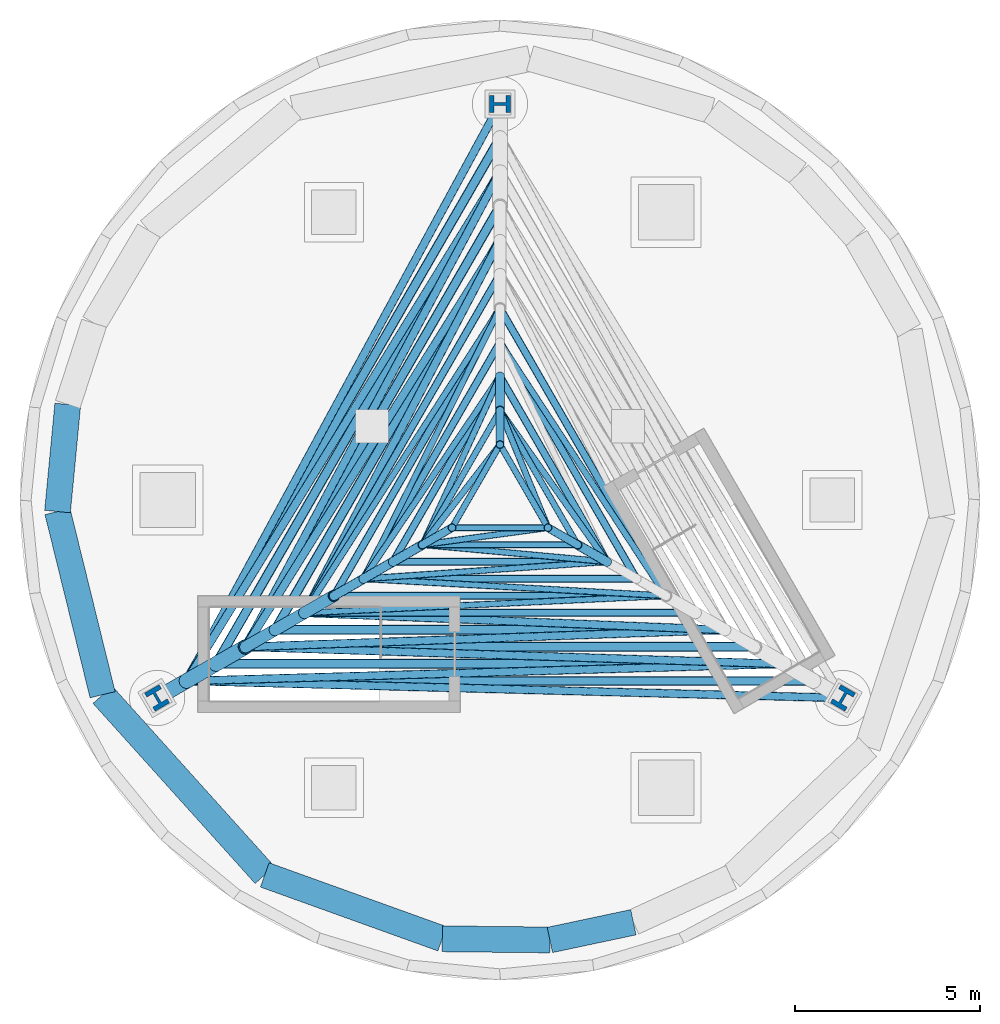
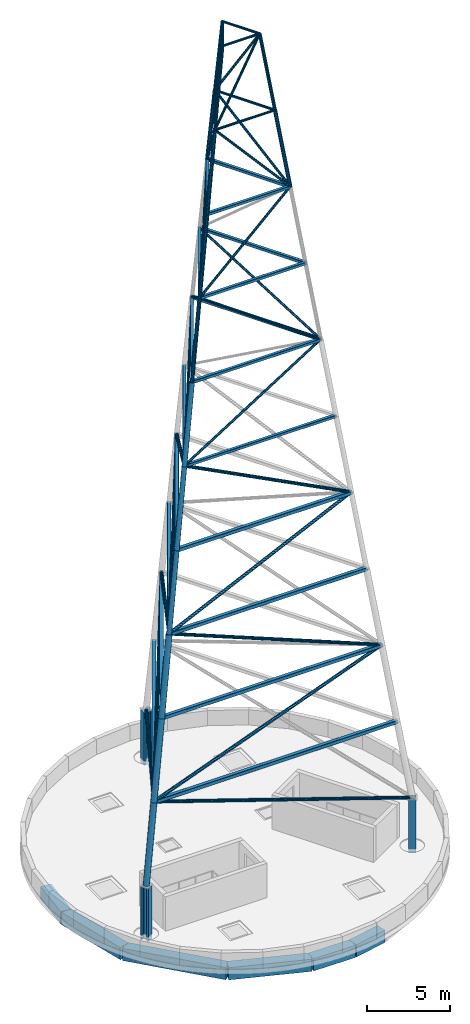
# One storey, part 1 of 4: 62 members, 6 beams, 3 columns.
"""IFC4 building model written with IfcOpenShell, lengths in metres."""

import ifcopenshell
import ifcopenshell.guid

model = None  # the IFC model being written
_history = None  # IfcOwnerHistory: only IFC2X3 demands one
_inside = {}  # id of a spatial element -> (the spatial element, [elements in it])
_under = {}  # id of a project, library or spatial element -> (it, [spatial elements below it])
_declared = {}  # id of a project -> (the project, [libraries it declares])
_typed = {}  # id of a type object -> (the type object, [elements of that type])
_made_of = {}  # id of a material, layer set ... -> (it, [elements and type objects made of it])


def new_model(schema):
    """Start an empty IFC model of exactly this schema.

    Asked for "IFC4X3", IfcOpenShell would pick the latest addendum, in which some entities
    have other attributes; the version numbers below select the first issue.
    IFC2X3 requires an IfcOwnerHistory on every rooted entity: one is made here for all.
    """
    global model, _history
    if schema == "IFC4X3":
        model = ifcopenshell.file(schema_version=(4, 3, 0, 0))
    else:
        model = ifcopenshell.file(schema=schema)
    _inside.clear()
    _under.clear()
    _declared.clear()
    _typed.clear()
    _made_of.clear()
    _history = None
    if model.schema == "IFC2X3":
        org = make("IfcOrganization", Name="unknown")
        user = make(
            "IfcPersonAndOrganization",
            ThePerson=make("IfcPerson", FamilyName="unknown"),
            TheOrganization=org,
        )
        app = make(
            "IfcApplication",
            ApplicationDeveloper=org,
            Version="unknown",
            ApplicationFullName="unknown",
            ApplicationIdentifier="unknown",
        )
        _history = make(
            "IfcOwnerHistory",
            OwningUser=user,
            OwningApplication=app,
            ChangeAction="ADDED",
            CreationDate=0,
        )
    return model


def make(cls, **values):
    """One entity of the class cls with the attributes given. An attribute that is None is left unset."""
    return model.create_entity(
        cls, **{name: value for name, value in values.items() if value is not None}
    )


def rooted(cls, **values):
    """An entity with a GlobalId (a new one), such as an element, a storey or a relation."""
    return make(cls, GlobalId=ifcopenshell.guid.new(), OwnerHistory=_history, **values)


def si_unit(unit_type, name, prefix=None):
    """IfcSIUnit, for example si_unit("LENGTHUNIT", "METRE", prefix="MILLI")."""
    return make("IfcSIUnit", UnitType=unit_type, Prefix=prefix, Name=name)


def assignment(units):
    """IfcUnitAssignment: the units of a project."""
    return None if units is None else make("IfcUnitAssignment", Units=units)


def point(xyz):
    """IfcCartesianPoint."""
    return None if xyz is None else make("IfcCartesianPoint", Coordinates=xyz)


def direction(xyz):
    """IfcDirection."""
    return None if xyz is None else make("IfcDirection", DirectionRatios=xyz)


def frame(location, z_axis=None, x_axis=None):
    """IfcAxis2Placement3D, a coordinate frame: its origin and axes. An axis left out is left unset."""
    return make(
        "IfcAxis2Placement3D",
        Location=point(location),
        Axis=direction(z_axis),
        RefDirection=direction(x_axis),
    )


def frame_2d(location, x_axis=None):
    """IfcAxis2Placement2D, a coordinate frame in the plane: its origin and x axis."""
    return make(
        "IfcAxis2Placement2D", Location=point(location), RefDirection=direction(x_axis)
    )


def origin():
    """The frame at (0, 0, 0) with its axes left unset."""
    return frame((0.0, 0.0, 0.0))


def origin_2d():
    """The frame at (0, 0) in the plane with its x axis left unset."""
    return frame_2d((0.0, 0.0))


def place(relative_to, where):
    """IfcLocalPlacement: puts the frame where relative to a parent placement (None: the world)."""
    return make(
        "IfcLocalPlacement", PlacementRelTo=relative_to, RelativePlacement=where
    )


def context(
    kind, dimensions, precision=None, world=None, true_north=None, identifier=None
):
    """IfcGeometricRepresentationContext, for example the 3D "Model" context."""
    return make(
        "IfcGeometricRepresentationContext",
        ContextIdentifier=identifier,
        ContextType=kind,
        CoordinateSpaceDimension=dimensions,
        Precision=precision,
        WorldCoordinateSystem=world,
        TrueNorth=true_north,
    )


def subcontext(parent, identifier, kind, view, scale=None):
    """IfcGeometricRepresentationSubContext, for example "Body" below "Model"."""
    return make(
        "IfcGeometricRepresentationSubContext",
        ContextIdentifier=identifier,
        ContextType=kind,
        ParentContext=parent,
        TargetScale=scale,
        TargetView=view,
    )


def project(units=None, contexts=None):
    """IfcProject with its units and contexts."""
    return rooted(
        "IfcProject",
        Name="project",
        RepresentationContexts=contexts,
        UnitsInContext=assignment(units),
    )


def spatial(cls, under=None, at=None, **own):
    """A site, building, storey or space (cls), placed at a placement, below another one or the project."""
    s = rooted(cls, ObjectPlacement=at, **own)
    if under is not None:
        _under.setdefault(under.id(), (under, []))[1].append(s)
    return s


def profile(cls, at=None, kind="AREA", **sizes):
    """A parametric profile (cls). Its sizes go by their IFC names, for example OverallWidth=200.0."""
    return make(cls, ProfileType=kind, Position=at, **sizes)


def rectangle(**sizes):
    """IfcRectangleProfileDef."""
    return profile("IfcRectangleProfileDef", **sizes)


def hollow_rectangle(**sizes):
    """IfcRectangleHollowProfileDef."""
    return profile("IfcRectangleHollowProfileDef", **sizes)


def hollow_circle(**sizes):
    """IfcCircleHollowProfileDef."""
    return profile("IfcCircleHollowProfileDef", **sizes)


def i_section(**sizes):
    """IfcIShapeProfileDef."""
    return profile("IfcIShapeProfileDef", **sizes)


def extrude(swept, where, along, depth):
    """IfcExtrudedAreaSolid: the profile swept, set in the frame where, extruded along a direction by depth."""
    return make(
        "IfcExtrudedAreaSolid",
        SweptArea=swept,
        Position=where,
        ExtrudedDirection=direction(along),
        Depth=depth,
    )


def shape(context_of_items, identifier, shape_type, items):
    """IfcShapeRepresentation: the items that make up one representation, for example the "Body"."""
    return make(
        "IfcShapeRepresentation",
        ContextOfItems=context_of_items,
        RepresentationIdentifier=identifier,
        RepresentationType=shape_type,
        Items=items,
    )


def material(Name=None, Category=None):
    """IfcMaterial."""
    return make("IfcMaterial", Name=Name, Category=Category)


def material_profile(
    of_material, cross_section, Name=None, Category=None, Priority=None
):
    """IfcMaterialProfile: a cross section and its material."""
    return make(
        "IfcMaterialProfile",
        Name=Name,
        Material=of_material,
        Profile=cross_section,
        Priority=Priority,
        Category=Category,
    )


def profile_set(profiles, Name=None, composite=None):
    """IfcMaterialProfileSet."""
    return make(
        "IfcMaterialProfileSet",
        Name=Name,
        MaterialProfiles=profiles,
        CompositeProfile=composite,
    )


def made_of(thing, what):
    """Note that an element or type object is made of a material, layer set ...; save() writes the relation."""
    if what is not None:
        _made_of.setdefault(what.id(), (what, []))[1].append(thing)
    return thing


def type_object(cls, material=None, **own):
    """A type object (cls), such as IfcWallType, which elements share."""
    return made_of(rooted(cls, **own), material)


def element(
    cls,
    number,
    at=None,
    inside=None,
    cuts=None,
    type_object=None,
    material=None,
    context=None,
    identifier="Body",
    shape_type=None,
    held_by="IfcProductDefinitionShape",
    body=None,
    shapes=None,
    **own,
):
    """One element of the class cls, such as IfcWall. Its Tag is "e" and its number.

    at: its placement. inside: the storey or other place that contains it. cuts: it is an
    opening in that element (IfcRelVoidsElement). A single representation is given by context,
    identifier, shape_type and body (its items); several are given by shapes. held_by: the class
    of the entity that holds the representations. save() writes the other relations.
    """
    e = rooted(cls, Tag="e%d" % number, ObjectPlacement=at, **own)
    if body is not None:
        shapes = [shape(context, identifier, shape_type, body)]
    if shapes is not None:
        e.Representation = make(held_by, Representations=shapes)
    if inside is not None:
        _inside.setdefault(inside.id(), (inside, []))[1].append(e)
    if cuts is not None:
        rooted(
            "IfcRelVoidsElement", RelatingBuildingElement=cuts, RelatedOpeningElement=e
        )
    if type_object is not None:
        _typed.setdefault(type_object.id(), (type_object, []))[1].append(e)
    return made_of(e, material)


def aggregate(whole, parts):
    """IfcRelAggregates: a whole, such as a stair, and the parts it consists of."""
    return rooted("IfcRelAggregates", RelatingObject=whole, RelatedObjects=parts)


def save(model, path):
    """Write the relations noted so far, then the file.

    IfcRelAggregates (storeys below a building ...), IfcRelContainedInSpatialStructure (elements
    in a storey), IfcRelDefinesByType, IfcRelAssociatesMaterial and IfcRelDeclares: one each for
    every whole, place, type object, material and project.
    """
    for whole, parts in _under.values():
        aggregate(whole, parts)
    for where, things in _inside.values():
        rooted(
            "IfcRelContainedInSpatialStructure",
            RelatedElements=things,
            RelatingStructure=where,
        )
    for kind, things in _typed.values():
        rooted("IfcRelDefinesByType", RelatedObjects=things, RelatingType=kind)
    for what, things in _made_of.values():
        rooted("IfcRelAssociatesMaterial", RelatedObjects=things, RelatingMaterial=what)
    for by, libraries in _declared.values():
        rooted("IfcRelDeclares", RelatingContext=by, RelatedDefinitions=libraries)
    model.write(path)


model = new_model("IFC4")

# Units and contexts
model_context = context("Model", 3, precision=1e-05, world=origin(), true_north=direction((0.0, 1.0)))
body_context = subcontext(model_context, "Body", "Model", "MODEL_VIEW")
ifc_project = project(units=[si_unit("LENGTHUNIT", "METRE"), si_unit("AREAUNIT", "SQUARE_METRE"), si_unit("VOLUMEUNIT", "CUBIC_METRE"), si_unit("PLANEANGLEUNIT", "RADIAN"), si_unit("MASSUNIT", "GRAM", prefix="KILO")], contexts=[model_context])

# Site, building, storey
site_placement = place(None, origin())
site = spatial("IfcSite", under=ifc_project, at=site_placement, CompositionType="ELEMENT")
building_placement = place(site_placement, origin())
building = spatial("IfcBuilding", under=site, at=building_placement, Name="Tramontana Tower", CompositionType="ELEMENT")
storey_placement = place(building_placement, frame((0.0, 0.0, 392.89990234375)))
storey = spatial("IfcBuildingStorey", under=building, at=storey_placement, Name="RF", CompositionType="ELEMENT", Elevation=392.89990234375)

# Columns
ifc_material_1 = material(Name="Steel ASTM A992 Grade 50", Category="steel")
ifc_material_profile_1 = material_profile(ifc_material_1, i_section(OverallWidth=0.4541015625, OverallDepth=0.568359375, WebThickness=0.077880859375, FlangeThickness=0.12548828125, FilletRadius=0.01513671875, at=origin_2d()), Name="W14X730")
ifc_profile_set_1 = profile_set([ifc_material_profile_1], Name="Steel ASTM A992 Grade 50")
column_type = type_object("IfcColumnType", Name="Mast W14X730 column", PredefinedType="COLUMN", material=ifc_profile_set_1)
for number, where, z_axis, x_axis, name in (
    (1, (0.0, 10.72509765625, -0.309814453125), (0.0, 0.0, 1.0), (0.0, 1.0, 0.0), "Mast base column 1"),
    (2, (-9.2880859375, -5.362548828125, -0.309814453125), (0.0, 0.0, 1.0), (-0.866025403784, -0.5, 0.0), "Mast base column 2"),
    (3, (9.2880859375, -5.362548828125, -0.309814453125), (0.0, 0.0, 1.0), (0.866025403784, -0.5, 0.0), "Mast base column 3"),
):
    element("IfcColumn", number, at=place(storey_placement, frame(where, z_axis=z_axis, x_axis=x_axis)), inside=storey, type_object=column_type, Name=name, PredefinedType="COLUMN", context=body_context, shape_type="SweptSolid", body=[
        extrude(i_section(OverallWidth=0.4541015625, OverallDepth=0.568359375, WebThickness=0.077880859375, FlangeThickness=0.12548828125, FilletRadius=0.01513671875, at=origin_2d()), origin(), (0.0, 0.0, 1.0), 3.909912109375),
    ])

# Members
ifc_material_2 = material(Name="Steel ASTM A500 Grade C", Category="steel")
ifc_material_profile_2 = material_profile(ifc_material_2, hollow_circle(Radius=0.126953125, WallThickness=0.01171875, at=origin_2d()), Name="HSS10.000X0.500")
ifc_profile_set_2 = profile_set([ifc_material_profile_2], Name="Steel ASTM A500 Grade C")
member_type_1 = type_object("IfcMemberType", Name="Mast HSS10.000X0.500 chord", PredefinedType="CHORD", material=ifc_profile_set_2)
member_1_placement = place(storey_placement, frame((-4.49462890625, -2.594970703125, 37.440185546875), z_axis=(0.139781776217, 0.080699197822, 0.986888390097), x_axis=(-0.499982117899, 0.866035727774, 0.0)))
element("IfcMember", 4, at=member_1_placement, inside=storey, type_object=member_type_1, Name="Mast leg 2.7", PredefinedType="CHORD", context=body_context, shape_type="SweptSolid", body=[
    extrude(hollow_circle(Radius=0.126953125, WallThickness=0.01171875, at=origin_2d()), origin(), (0.0, 0.0, 1.0), 5.71484375),
])
member_2_placement = place(storey_placement, frame((-3.69580078125, -2.1337890625, 43.080078125), z_axis=(0.139775883199, 0.080695795649, 0.986889502954), x_axis=(-0.499982117899, 0.866035727774, 0.0)))
element("IfcMember", 5, at=member_2_placement, inside=storey, type_object=member_type_1, Name="Mast leg 2.8", PredefinedType="CHORD", context=body_context, shape_type="SweptSolid", body=[
    extrude(hollow_circle(Radius=0.126953125, WallThickness=0.01171875, at=origin_2d()), origin(), (0.0, 0.0, 1.0), 5.715087890625),
])
for number, where, z_axis, x_axis, name in (
    (6, (0.0, 3.344970703125, 48.72021484375), (0.0, -0.161398546018, 0.98688930957), (1.0, 0.0, 0.0), "Mast leg 1.9"),
    (7, (-2.89697265625, -1.672607421875, 48.72021484375), (0.139823179555, 0.080741157763, 0.986879092849), (-0.500065993159, 0.865987299264, 0.0), "Mast leg 2.9"),
    (8, (2.89697265625, -1.672607421875, 48.72021484375), (-0.139823179555, 0.080741157763, 0.986879092849), (-0.500065993159, -0.865987299264, 0.0), "Mast leg 3.9"),
):
    element("IfcMember", number, at=place(storey_placement, frame(where, z_axis=z_axis, x_axis=x_axis)), inside=storey, type_object=member_type_1, Name=name, PredefinedType="CHORD", context=body_context, shape_type="SweptSolid", body=[
        extrude(hollow_circle(Radius=0.126953125, WallThickness=0.01171875, at=origin_2d()), origin(), (0.0, 0.0, 1.0), 5.71484375),
    ])
ifc_material_3 = material(Name="Steel ASTM A500 Grade C", Category="steel")
ifc_material_profile_3 = material_profile(ifc_material_3, hollow_rectangle(XDim=0.25390625, YDim=0.25390625, WallThickness=0.01171875, InnerFilletRadius=0.01171875, OuterFilletRadius=0.023681640625, at=origin_2d()), Name="HSS10X10X1/2")
ifc_profile_set_3 = profile_set([ifc_material_profile_3], Name="Steel ASTM A500 Grade C")
member_type_2 = type_object("IfcMemberType", Name="Mast HSS10X10X1/2 strut", PredefinedType="STRUT", material=ifc_profile_set_3)
member_3_placement = place(storey_placement, frame((0.0, 9.802490234375, 9.239990234375), z_axis=(-0.500005421305, -0.86602227377, 0.0), x_axis=(0.86602227377, -0.500005421305, 0.0)))
element("IfcMember", 9, at=member_3_placement, inside=storey, type_object=member_type_2, Name="Mast ring brace 1.1", PredefinedType="STRUT", context=body_context, shape_type="SweptSolid", body=[
    extrude(hollow_rectangle(XDim=0.25390625, YDim=0.25390625, WallThickness=0.01171875, InnerFilletRadius=0.01171875, OuterFilletRadius=0.023681640625, at=origin_2d()), origin(), (0.0, 0.0, 1.0), 16.978271484375),
])
member_4_placement = place(storey_placement, frame((-8.4892578125, -4.901123046875, 9.239990234375), z_axis=(0.999999999897, -1.4379386e-05, 0.0), x_axis=(1.4379386e-05, 0.999999999897, 0.0)))
element("IfcMember", 10, at=member_4_placement, inside=storey, type_object=member_type_2, Name="Mast ring brace 2.1", PredefinedType="STRUT", context=body_context, shape_type="SweptSolid", body=[
    extrude(hollow_rectangle(XDim=0.25390625, YDim=0.25390625, WallThickness=0.01171875, InnerFilletRadius=0.01171875, OuterFilletRadius=0.023681640625, at=origin_2d()), origin(), (0.0, 0.0, 1.0), 16.978515625),
])
for number, where, z_axis, x_axis, name in (
    (11, (0.0, 8.8798828125, 14.880126953125), (-0.499999095372, -0.866025926071, 0.0), (0.866025926071, -0.499999095372, 0.0), "Mast ring brace 1.2"),
    (12, (-7.690185546875, -4.43994140625, 14.880126953125), (1.0, 0.0, 0.0), (0.0, 1.0, 0.0), "Mast ring brace 2.2"),
):
    element("IfcMember", number, at=place(storey_placement, frame(where, z_axis=z_axis, x_axis=x_axis)), inside=storey, type_object=member_type_2, Name=name, PredefinedType="STRUT", context=body_context, shape_type="SweptSolid", body=[
        extrude(hollow_rectangle(XDim=0.25390625, YDim=0.25390625, WallThickness=0.01171875, InnerFilletRadius=0.01171875, OuterFilletRadius=0.023681640625, at=origin_2d()), origin(), (0.0, 0.0, 1.0), 15.38037109375),
    ])
for number, where, z_axis, x_axis, name in (
    (13, (0.0, 7.95751953125, 20.52001953125), (-0.499996917715, -0.866027183335, 0.0), (0.866027183335, -0.499996917715, 0.0), "Mast ring brace 1.3"),
    (14, (-6.891357421875, -3.978759765625, 20.52001953125), (1.0, 0.0, 0.0), (0.0, 1.0, 0.0), "Mast ring brace 2.3"),
):
    element("IfcMember", number, at=place(storey_placement, frame(where, z_axis=z_axis, x_axis=x_axis)), inside=storey, type_object=member_type_2, Name=name, PredefinedType="STRUT", context=body_context, shape_type="SweptSolid", body=[
        extrude(hollow_rectangle(XDim=0.25390625, YDim=0.25390625, WallThickness=0.01171875, InnerFilletRadius=0.01171875, OuterFilletRadius=0.023681640625, at=origin_2d()), origin(), (0.0, 0.0, 1.0), 13.78271484375),
    ])
for number, where, z_axis, x_axis, name in (
    (15, (0.0, 7.034912109375, 26.16015625), (-0.500002844856, -0.8660237613, 0.0), (0.8660237613, -0.500002844856, 0.0), "Mast ring brace 1.4"),
    (16, (-6.092529296875, -3.517578125, 26.16015625), (1.0, 0.0, 0.0), (0.0, 1.0, 0.0), "Mast ring brace 2.4"),
):
    element("IfcMember", number, at=place(storey_placement, frame(where, z_axis=z_axis, x_axis=x_axis)), inside=storey, type_object=member_type_2, Name=name, PredefinedType="STRUT", context=body_context, shape_type="SweptSolid", body=[
        extrude(hollow_rectangle(XDim=0.25390625, YDim=0.25390625, WallThickness=0.01171875, InnerFilletRadius=0.01171875, OuterFilletRadius=0.023681640625, at=origin_2d()), origin(), (0.0, 0.0, 1.0), 12.18505859375),
    ])
ifc_material_4 = material(Name="Steel ASTM A500 Grade C", Category="steel")
ifc_material_profile_4 = material_profile(ifc_material_4, hollow_circle(Radius=0.161865234375, WallThickness=0.01171875, at=origin_2d()), Name="HSS12.750X0.500")
ifc_profile_set_4 = profile_set([ifc_material_profile_4], Name="Steel ASTM A500 Grade C")
member_type_3 = type_object("IfcMemberType", Name="Mast HSS12.750X0.500 chord", PredefinedType="CHORD", material=ifc_profile_set_4)
member_5_placement = place(storey_placement, frame((-6.891357421875, -3.978759765625, 20.52001953125), z_axis=(0.139775883199, 0.080695795649, 0.986889502954), x_axis=(-0.499982117899, 0.866035727774, 0.0)))
element("IfcMember", 17, at=member_5_placement, inside=storey, type_object=member_type_3, Name="Mast leg 2.4", PredefinedType="CHORD", context=body_context, shape_type="SweptSolid", body=[
    extrude(hollow_circle(Radius=0.161865234375, WallThickness=0.01171875, at=origin_2d()), origin(), (0.0, 0.0, 1.0), 5.715087890625),
])
member_6_placement = place(storey_placement, frame((-6.092529296875, -3.517578125, 26.16015625), z_axis=(0.139781294192, 0.080741639983, 0.986884986899), x_axis=(-0.500180593862, 0.86592111276, 0.0)))
element("IfcMember", 18, at=member_6_placement, inside=storey, type_object=member_type_3, Name="Mast leg 2.5", PredefinedType="CHORD", context=body_context, shape_type="SweptSolid", body=[
    extrude(hollow_circle(Radius=0.161865234375, WallThickness=0.01171875, at=origin_2d()), origin(), (0.0, 0.0, 1.0), 5.71484375),
])
member_7_placement = place(storey_placement, frame((-5.293701171875, -3.05615234375, 31.800048828125), z_axis=(0.139817767005, 0.08069531374, 0.986883609333), x_axis=(-0.499867532353, 0.866101870509, 0.0)))
element("IfcMember", 19, at=member_7_placement, inside=storey, type_object=member_type_3, Name="Mast leg 2.6", PredefinedType="CHORD", context=body_context, shape_type="SweptSolid", body=[
    extrude(hollow_circle(Radius=0.161865234375, WallThickness=0.01171875, at=origin_2d()), origin(), (0.0, 0.0, 1.0), 5.715087890625),
])
ifc_material_5 = material(Name="Steel ASTM A500 Grade C", Category="steel")
ifc_material_profile_5 = material_profile(ifc_material_5, hollow_circle(Radius=0.203125, WallThickness=0.01171875, at=origin_2d()), Name="HSS16.000X0.500")
ifc_profile_set_5 = profile_set([ifc_material_profile_5], Name="Steel ASTM A500 Grade C")
member_type_4 = type_object("IfcMemberType", Name="Mast HSS16.000X0.500 chord", PredefinedType="CHORD", material=ifc_profile_set_5)
member_8_placement = place(storey_placement, frame((-9.2880859375, -5.362548828125, 3.64013671875), z_axis=(0.140754417183, 0.081303743422, 0.98670050945), x_axis=(-0.500180593862, 0.86592111276, 0.0)))
element("IfcMember", 20, at=member_8_placement, inside=storey, type_object=member_type_4, Name="Mast leg 2.1", PredefinedType="CHORD", context=body_context, shape_type="SweptSolid", body=[
    extrude(hollow_circle(Radius=0.203125, WallThickness=0.01171875, at=origin_2d()), origin(), (0.0, 0.0, 1.0), 5.67529296875),
])
member_9_placement = place(storey_placement, frame((-8.4892578125, -4.901123046875, 9.239990234375), z_axis=(0.139817767005, 0.08069531374, 0.986883609333), x_axis=(-0.499867532353, 0.866101870509, 0.0)))
element("IfcMember", 21, at=member_9_placement, inside=storey, type_object=member_type_4, Name="Mast leg 2.2", PredefinedType="CHORD", context=body_context, shape_type="SweptSolid", body=[
    extrude(hollow_circle(Radius=0.203125, WallThickness=0.01171875, at=origin_2d()), origin(), (0.0, 0.0, 1.0), 5.715087890625),
])
member_10_placement = place(storey_placement, frame((-7.690185546875, -4.43994140625, 14.880126953125), z_axis=(0.139781776217, 0.080699197822, 0.986888390097), x_axis=(-0.499982117899, 0.866035727774, 0.0)))
element("IfcMember", 22, at=member_10_placement, inside=storey, type_object=member_type_4, Name="Mast leg 2.3", PredefinedType="CHORD", context=body_context, shape_type="SweptSolid", body=[
    extrude(hollow_circle(Radius=0.203125, WallThickness=0.01171875, at=origin_2d()), origin(), (0.0, 0.0, 1.0), 5.71484375),
])
ifc_material_6 = material(Name="Steel ASTM A500 Grade C", Category="steel")
ifc_material_profile_6 = material_profile(ifc_material_6, hollow_circle(Radius=0.084228515625, WallThickness=0.006591796875, at=origin_2d()), Name="HSS6.625X0.280")
ifc_profile_set_6 = profile_set([ifc_material_profile_6], Name="Steel ASTM A500 Grade C")
member_type_5 = type_object("IfcMemberType", Name="Mast HSS6.625X0.280 brace", PredefinedType="BRACE", material=ifc_profile_set_6)
for number, where, z_axis, x_axis, name in (
    (23, (-5.293701171875, -3.05615234375, 31.800048828125), (0.468207989961, 0.729336026791, 0.498848913161), (-0.841519918158, 0.540226089099, 0.0), "Mast diagonal 1.6"),
    (24, (-5.293701171875, -3.05615234375, 31.800048828125), (0.865731692843, 0.04078934397, 0.498843527999), (-0.047063248463, 0.998891911392, 0.0), "Mast diagonal 2.6"),
):
    element("IfcMember", number, at=place(storey_placement, frame(where, z_axis=z_axis, x_axis=x_axis)), inside=storey, type_object=member_type_5, Name=name, PredefinedType="BRACE", context=body_context, shape_type="SweptSolid", body=[
        extrude(hollow_circle(Radius=0.084228515625, WallThickness=0.006591796875, at=origin_2d()), origin(), (0.0, 0.0, 1.0), 11.306396484375),
    ])
for number, where, z_axis, x_axis, name in (
    (25, (0.0, 5.18994140625, 37.440185546875), (-0.371246333342, -0.735674957563, 0.566532008623), (0.892766364548, -0.450519942214, 0.0), "Mast diagonal 1.7"),
    (26, (4.49462890625, -2.594970703125, 37.440185546875), (-0.822736231062, 0.046326121989, 0.566532421419), (-0.056218330297, -0.998418499097, 0.0), "Mast diagonal 2.7"),
    (27, (4.49462890625, -2.594970703125, 37.440185546875), (-0.451488628491, 0.689347846728, 0.566531168211), (-0.836546267057, -0.54789628861, 0.0), "Mast diagonal 3.7"),
):
    element("IfcMember", number, at=place(storey_placement, frame(where, z_axis=z_axis, x_axis=x_axis)), inside=storey, type_object=member_type_5, Name=name, PredefinedType="BRACE", context=body_context, shape_type="SweptSolid", body=[
        extrude(hollow_circle(Radius=0.084228515625, WallThickness=0.006591796875, at=origin_2d()), origin(), (0.0, 0.0, 1.0), 9.955078125),
    ])
member_11_placement = place(storey_placement, frame((-3.69580078125, -2.1337890625, 43.080078125), z_axis=(0.42537579552, 0.630589128501, 0.649163140976), x_axis=(-0.829014376852, 0.559227290976, 0.0)))
element("IfcMember", 28, at=member_11_placement, inside=storey, type_object=member_type_5, Name="Mast diagonal 1.8", PredefinedType="BRACE", context=body_context, shape_type="SweptSolid", body=[
    extrude(hollow_circle(Radius=0.084228515625, WallThickness=0.006591796875, at=origin_2d()), origin(), (0.0, 0.0, 1.0), 8.688232421875),
])
member_12_placement = place(storey_placement, frame((-3.69580078125, -2.1337890625, 43.080078125), z_axis=(0.758800792121, 0.053080087999, 0.649156269426), x_axis=(-0.069782073353, 0.997562259831, 0.0)))
element("IfcMember", 29, at=member_12_placement, inside=storey, type_object=member_type_5, Name="Mast diagonal 2.8", PredefinedType="BRACE", context=body_context, shape_type="SweptSolid", body=[
    extrude(hollow_circle(Radius=0.084228515625, WallThickness=0.006591796875, at=origin_2d()), origin(), (0.0, 0.0, 1.0), 8.6884765625),
])
member_13_placement = place(storey_placement, frame((0.0, 3.344970703125, 48.72021484375), z_axis=(-0.277951487073, -0.60364606677, 0.747231153598), x_axis=(0.908333684241, -0.418246240954, 0.0)))
element("IfcMember", 30, at=member_13_placement, inside=storey, type_object=member_type_5, Name="Mast diagonal 1.9", PredefinedType="BRACE", context=body_context, shape_type="SweptSolid", body=[
    extrude(hollow_circle(Radius=0.084228515625, WallThickness=0.006591796875, at=origin_2d()), origin(), (0.0, 0.0, 1.0), 7.547607421875),
])
for number, where, z_axis, x_axis, name in (
    (31, (2.89697265625, -1.672607421875, 48.72021484375), (-0.661760926122, 0.061133396079, 0.747218297783), (-0.09198819999, -0.995760097143, 0.0), "Mast diagonal 2.9"),
    (32, (2.89697265625, -1.672607421875, 48.72021484375), (-0.383808950478, 0.542559525983, 0.747208036827), (-0.816382059651, -0.577512192668, 0.0), "Mast diagonal 3.9"),
):
    element("IfcMember", number, at=place(storey_placement, frame(where, z_axis=z_axis, x_axis=x_axis)), inside=storey, type_object=member_type_5, Name=name, PredefinedType="BRACE", context=body_context, shape_type="SweptSolid", body=[
        extrude(hollow_circle(Radius=0.084228515625, WallThickness=0.006591796875, at=origin_2d()), origin(), (0.0, 0.0, 1.0), 7.5478515625),
    ])
for number, where, z_axis, x_axis, name in (
    (33, (-2.097900390625, -1.211181640625, 54.360107421875), (0.317863402824, 0.410784718766, 0.854528391555), (-0.790876034998, 0.611976386199, 0.0), "Mast diagonal 1.10"),
    (34, (-2.097900390625, -1.211181640625, 54.360107421875), (0.514689872647, 0.069875605105, 0.854524273971), (-0.134528423865, 0.990909735128, 0.0), "Mast diagonal 2.10"),
    (35, (0.0, 2.422607421875, 54.360107421875), (0.196825934573, -0.480690287498, 0.854515300615), (0.925425529795, 0.37892953013, 0.0), "Mast diagonal 3.10"),
):
    element("IfcMember", number, at=place(storey_placement, frame(where, z_axis=z_axis, x_axis=x_axis)), inside=storey, type_object=member_type_5, Name=name, PredefinedType="BRACE", context=body_context, shape_type="SweptSolid", body=[
        extrude(hollow_circle(Radius=0.084228515625, WallThickness=0.006591796875, at=origin_2d()), origin(), (0.0, 0.0, 1.0), 6.60009765625),
    ])
ifc_material_7 = material(Name="Steel ASTM A500 Grade C", Category="steel")
ifc_material_profile_7 = material_profile(ifc_material_7, hollow_circle(Radius=0.084228515625, WallThickness=0.006591796875, at=origin_2d()), Name="HSS6.625X0.280")
ifc_profile_set_7 = profile_set([ifc_material_profile_7], Name="Steel ASTM A500 Grade C")
member_type_6 = type_object("IfcMemberType", Name="Mast HSS6.625X0.280 strut", PredefinedType="STRUT", material=ifc_profile_set_7)
for number, where, z_axis, x_axis, name in (
    (36, (0.0, 2.422607421875, 54.360107421875), (-0.499987719618, -0.86603249375, 0.0), (0.86603249375, -0.499987719618, 0.0), "Mast ring brace 1.9"),
    (37, (-2.097900390625, -1.211181640625, 54.360107421875), (1.0, 0.0, 0.0), (0.0, 1.0, 0.0), "Mast ring brace 2.9"),
    (38, (2.097900390625, -1.211181640625, 54.360107421875), (-0.499987719618, 0.86603249375, 0.0), (-0.86603249375, -0.499987719618, 0.0), "Mast ring brace 3.9"),
):
    element("IfcMember", number, at=place(storey_placement, frame(where, z_axis=z_axis, x_axis=x_axis)), inside=storey, type_object=member_type_6, Name=name, PredefinedType="STRUT", context=body_context, shape_type="SweptSolid", body=[
        extrude(hollow_circle(Radius=0.084228515625, WallThickness=0.006591796875, at=origin_2d()), origin(), (0.0, 0.0, 1.0), 4.19580078125),
    ])
for number, where, z_axis, x_axis, name in (
    (39, (0.0, 1.5, 60.0), (-0.50000986103, -0.866019710441, 0.0), (0.866019710441, -0.50000986103, 0.0), "Mast ring brace 1.10"),
    (40, (-1.299072265625, -0.75, 60.0), (1.0, 0.0, 0.0), (0.0, 1.0, 0.0), "Mast ring brace 2.10"),
    (41, (1.299072265625, -0.75, 60.0), (-0.50000986103, 0.866019710441, 0.0), (-0.866019710441, -0.50000986103, 0.0), "Mast ring brace 3.10"),
):
    element("IfcMember", number, at=place(storey_placement, frame(where, z_axis=z_axis, x_axis=x_axis)), inside=storey, type_object=member_type_6, Name=name, PredefinedType="STRUT", context=body_context, shape_type="SweptSolid", body=[
        extrude(hollow_circle(Radius=0.084228515625, WallThickness=0.006591796875, at=origin_2d()), origin(), (0.0, 0.0, 1.0), 2.59814453125),
    ])
ifc_material_8 = material(Name="Steel ASTM A500 Grade C", Category="steel")
ifc_material_profile_8 = material_profile(ifc_material_8, hollow_circle(Radius=0.109619140625, WallThickness=0.01171875, at=origin_2d()), Name="HSS8.625X0.500")
ifc_profile_set_8 = profile_set([ifc_material_profile_8], Name="Steel ASTM A500 Grade C")
member_type_7 = type_object("IfcMemberType", Name="Mast HSS8.625X0.500 brace", PredefinedType="BRACE", material=ifc_profile_set_8)
for number, where, z_axis, x_axis, name in (
    (42, (0.0, 10.72509765625, 3.60009765625), (-0.455036251003, -0.837587577519, 0.302306235892), (0.878701255363, -0.47737208111, 0.0), "Mast diagonal 1.1"),
    (43, (9.2880859375, -5.362548828125, 3.60009765625), (-0.952890010135, 0.024733054812, 0.302305978413), (-0.025947095006, -0.999663317453, 0.0), "Mast diagonal 2.1"),
):
    element("IfcMember", number, at=place(storey_placement, frame(where, z_axis=z_axis, x_axis=x_axis)), inside=storey, type_object=member_type_7, Name=name, PredefinedType="BRACE", context=body_context, shape_type="SweptSolid", body=[
        extrude(hollow_circle(Radius=0.109619140625, WallThickness=0.01171875, at=origin_2d()), origin(), (0.0, 0.0, 1.0), 18.65625),
    ])
member_14_placement = place(storey_placement, frame((-8.4892578125, -4.901123046875, 9.239990234375), z_axis=(0.495276472698, 0.804005264419, 0.329054327397), x_axis=(-0.851419999583, 0.52448449387, 0.0)))
element("IfcMember", 44, at=member_14_placement, inside=storey, type_object=member_type_7, Name="Mast diagonal 1.2", PredefinedType="BRACE", context=body_context, shape_type="SweptSolid", body=[
    extrude(hollow_circle(Radius=0.109619140625, WallThickness=0.01171875, at=origin_2d()), origin(), (0.0, 0.0, 1.0), 17.140380859375),
])
member_15_placement = place(storey_placement, frame((-8.4892578125, -4.901123046875, 9.239990234375), z_axis=(0.943928278984, 0.026905894267, 0.329052392466), x_axis=(-0.028492599667, 0.999594003466, 0.0)))
element("IfcMember", 45, at=member_15_placement, inside=storey, type_object=member_type_7, Name="Mast diagonal 2.2", PredefinedType="BRACE", context=body_context, shape_type="SweptSolid", body=[
    extrude(hollow_circle(Radius=0.109619140625, WallThickness=0.01171875, at=origin_2d()), origin(), (0.0, 0.0, 1.0), 17.140625),
])
for number, where, z_axis, x_axis, name in (
    (46, (0.0, 8.8798828125, 14.880126953125), (-0.440593000512, -0.822106236723, 0.360581673746), (0.881400098556, -0.472370475649, 0.0), "Mast diagonal 1.3"),
    (47, (7.690185546875, -4.43994140625, 14.880126953125), (-0.932261079835, 0.029485336031, 0.360582714484), (-0.031611959785, -0.999500217108, 0.0), "Mast diagonal 2.3"),
):
    element("IfcMember", number, at=place(storey_placement, frame(where, z_axis=z_axis, x_axis=x_axis)), inside=storey, type_object=member_type_7, Name=name, PredefinedType="BRACE", context=body_context, shape_type="SweptSolid", body=[
        extrude(hollow_circle(Radius=0.109619140625, WallThickness=0.01171875, at=origin_2d()), origin(), (0.0, 0.0, 1.0), 15.64111328125),
    ])
member_16_placement = place(storey_placement, frame((-6.891357421875, -3.978759765625, 20.52001953125), z_axis=(0.486559719928, 0.777612997675, 0.398218112083), x_axis=(-0.847727932134, 0.530431289687, 0.0)))
element("IfcMember", 48, at=member_16_placement, inside=storey, type_object=member_type_7, Name="Mast diagonal 1.4", PredefinedType="BRACE", context=body_context, shape_type="SweptSolid", body=[
    extrude(hollow_circle(Radius=0.109619140625, WallThickness=0.01171875, at=origin_2d()), origin(), (0.0, 0.0, 1.0), 14.163330078125),
])
member_17_placement = place(storey_placement, frame((-6.891357421875, -3.978759765625, 20.52001953125), z_axis=(0.916713620236, 0.032561243064, 0.398215901145), x_axis=(-0.035497151475, 0.999369777528, 0.0)))
element("IfcMember", 49, at=member_17_placement, inside=storey, type_object=member_type_7, Name="Mast diagonal 2.4", PredefinedType="BRACE", context=body_context, shape_type="SweptSolid", body=[
    extrude(hollow_circle(Radius=0.109619140625, WallThickness=0.01171875, at=origin_2d()), origin(), (0.0, 0.0, 1.0), 14.16357421875),
])
member_18_placement = place(storey_placement, frame((0.0, 7.034912109375, 26.16015625), z_axis=(-0.416347983969, -0.793659144093, 0.443575832572), x_axis=(0.885546213928, -0.464551292106, 0.0)))
element("IfcMember", 50, at=member_18_placement, inside=storey, type_object=member_type_7, Name="Mast diagonal 1.5", PredefinedType="BRACE", context=body_context, shape_type="SweptSolid", body=[
    extrude(hollow_circle(Radius=0.109619140625, WallThickness=0.01171875, at=origin_2d()), origin(), (0.0, 0.0, 1.0), 12.714599609375),
])
member_19_placement = place(storey_placement, frame((6.092529296875, -3.517578125, 26.16015625), z_axis=(-0.895506096118, 0.036290289499, 0.443567183979), x_axis=(-0.040491658445, -0.999179876497, 0.0)))
element("IfcMember", 51, at=member_19_placement, inside=storey, type_object=member_type_7, Name="Mast diagonal 2.5", PredefinedType="BRACE", context=body_context, shape_type="SweptSolid", body=[
    extrude(hollow_circle(Radius=0.109619140625, WallThickness=0.01171875, at=origin_2d()), origin(), (0.0, 0.0, 1.0), 12.71484375),
])
ifc_material_9 = material(Name="Steel ASTM A500 Grade C", Category="steel")
ifc_material_profile_9 = material_profile(ifc_material_9, hollow_circle(Radius=0.109619140625, WallThickness=0.01171875, at=origin_2d()), Name="HSS8.625X0.500")
ifc_profile_set_9 = profile_set([ifc_material_profile_9], Name="Steel ASTM A500 Grade C")
member_type_8 = type_object("IfcMemberType", Name="Mast HSS8.625X0.500 chord", PredefinedType="CHORD", material=ifc_profile_set_9)
for number, where, z_axis, x_axis, name in (
    (52, (0.0, 2.422607421875, 54.360107421875), (0.0, -0.161440153368, 0.986882504091), (1.0, 0.0, 0.0), "Mast leg 1.10"),
    (53, (-2.097900390625, -1.211181640625, 54.360107421875), (0.139781776217, 0.080699197822, 0.986888390097), (-0.499982117899, 0.866035727774, 0.0), "Mast leg 2.10"),
    (54, (2.097900390625, -1.211181640625, 54.360107421875), (-0.139781776217, 0.080699197822, 0.986888390097), (-0.499982117899, -0.866035727774, 0.0), "Mast leg 3.10"),
):
    element("IfcMember", number, at=place(storey_placement, frame(where, z_axis=z_axis, x_axis=x_axis)), inside=storey, type_object=member_type_8, Name=name, PredefinedType="CHORD", context=body_context, shape_type="SweptSolid", body=[
        extrude(hollow_circle(Radius=0.109619140625, WallThickness=0.01171875, at=origin_2d()), origin(), (0.0, 0.0, 1.0), 5.71484375),
    ])
ifc_material_10 = material(Name="Steel ASTM A500 Grade C", Category="steel")
ifc_material_profile_10 = material_profile(ifc_material_10, hollow_rectangle(XDim=0.203125, YDim=0.203125, WallThickness=0.0087890625, InnerFilletRadius=0.0087890625, OuterFilletRadius=0.017822265625, at=origin_2d()), Name="HSS8X8X3/8")
ifc_profile_set_10 = profile_set([ifc_material_profile_10], Name="Steel ASTM A500 Grade C")
member_type_9 = type_object("IfcMemberType", Name="Mast HSS8X8X3/8 strut", PredefinedType="STRUT", material=ifc_profile_set_10)
member_20_placement = place(storey_placement, frame((0.0, 6.112548828125, 31.800048828125), z_axis=(-0.500010561004, -0.8660193063, 0.0), x_axis=(0.8660193063, -0.500010561004, 0.0)))
element("IfcMember", 55, at=member_20_placement, inside=storey, type_object=member_type_9, Name="Mast ring brace 1.5", PredefinedType="STRUT", context=body_context, shape_type="SweptSolid", body=[
    extrude(hollow_rectangle(XDim=0.203125, YDim=0.203125, WallThickness=0.0087890625, InnerFilletRadius=0.0087890625, OuterFilletRadius=0.017822265625, at=origin_2d()), origin(), (0.0, 0.0, 1.0), 10.587158203125),
])
member_21_placement = place(storey_placement, frame((-5.293701171875, -3.05615234375, 31.800048828125), z_axis=(0.999999999734, -2.305954e-05, 0.0), x_axis=(2.305954e-05, 0.999999999734, 0.0)))
element("IfcMember", 56, at=member_21_placement, inside=storey, type_object=member_type_9, Name="Mast ring brace 2.5", PredefinedType="STRUT", context=body_context, shape_type="SweptSolid", body=[
    extrude(hollow_rectangle(XDim=0.203125, YDim=0.203125, WallThickness=0.0087890625, InnerFilletRadius=0.0087890625, OuterFilletRadius=0.017822265625, at=origin_2d()), origin(), (0.0, 0.0, 1.0), 10.58740234375),
])
for number, where, z_axis, x_axis, name in (
    (57, (0.0, 5.18994140625, 37.440185546875), (-0.500000651135, -0.866025027851, 0.0), (0.866025027851, -0.500000651135, 0.0), "Mast ring brace 1.6"),
    (58, (-4.49462890625, -2.594970703125, 37.440185546875), (1.0, 0.0, 0.0), (0.0, 1.0, 0.0), "Mast ring brace 2.6"),
    (59, (4.49462890625, -2.594970703125, 37.440185546875), (-0.500000651135, 0.866025027851, 0.0), (-0.866025027851, -0.500000651135, 0.0), "Mast ring brace 3.6"),
):
    element("IfcMember", number, at=place(storey_placement, frame(where, z_axis=z_axis, x_axis=x_axis)), inside=storey, type_object=member_type_9, Name=name, PredefinedType="STRUT", context=body_context, shape_type="SweptSolid", body=[
        extrude(hollow_rectangle(XDim=0.203125, YDim=0.203125, WallThickness=0.0087890625, InnerFilletRadius=0.0087890625, OuterFilletRadius=0.017822265625, at=origin_2d()), origin(), (0.0, 0.0, 1.0), 8.9892578125),
    ])
for number, where, z_axis, x_axis, name in (
    (60, (0.0, 4.267578125, 43.080078125), (-0.499996926835, -0.86602717807, 0.0), (0.86602717807, -0.499996926835, 0.0), "Mast ring brace 1.7"),
    (61, (-3.69580078125, -2.1337890625, 43.080078125), (1.0, 0.0, 0.0), (0.0, 1.0, 0.0), "Mast ring brace 2.7"),
    (62, (3.69580078125, -2.1337890625, 43.080078125), (-0.499996926835, 0.86602717807, 0.0), (-0.86602717807, -0.499996926835, 0.0), "Mast ring brace 3.7"),
):
    element("IfcMember", number, at=place(storey_placement, frame(where, z_axis=z_axis, x_axis=x_axis)), inside=storey, type_object=member_type_9, Name=name, PredefinedType="STRUT", context=body_context, shape_type="SweptSolid", body=[
        extrude(hollow_rectangle(XDim=0.203125, YDim=0.203125, WallThickness=0.0087890625, InnerFilletRadius=0.0087890625, OuterFilletRadius=0.017822265625, at=origin_2d()), origin(), (0.0, 0.0, 1.0), 7.3916015625),
    ])
for number, where, z_axis, x_axis, name in (
    (63, (0.0, 3.344970703125, 48.72021484375), (-0.500009394666, -0.866019979704, 0.0), (0.866019979704, -0.500009394666, 0.0), "Mast ring brace 1.8"),
    (64, (-2.89697265625, -1.672607421875, 48.72021484375), (1.0, 0.0, 0.0), (0.0, 1.0, 0.0), "Mast ring brace 2.8"),
    (65, (2.89697265625, -1.672607421875, 48.72021484375), (-0.500009394666, 0.866019979704, 0.0), (-0.866019979704, -0.500009394666, 0.0), "Mast ring brace 3.8"),
):
    element("IfcMember", number, at=place(storey_placement, frame(where, z_axis=z_axis, x_axis=x_axis)), inside=storey, type_object=member_type_9, Name=name, PredefinedType="STRUT", context=body_context, shape_type="SweptSolid", body=[
        extrude(hollow_rectangle(XDim=0.203125, YDim=0.203125, WallThickness=0.0087890625, InnerFilletRadius=0.0087890625, OuterFilletRadius=0.017822265625, at=origin_2d()), origin(), (0.0, 0.0, 1.0), 5.7939453125),
    ])

# Beams
ifc_material_11 = material(Name="Concrete 40 MPa", Category="concrete")
ifc_material_profile_11 = material_profile(ifc_material_11, rectangle(XDim=0.699951171875, YDim=0.89990234375, at=origin_2d()), Name="RC RING BEAM 700X900 40 MPa")
ifc_profile_set_11 = profile_set([ifc_material_profile_11], Name="Concrete 40 MPa")
beam_type = type_object("IfcBeamType", Name="RC RING BEAM 700X900 40 MPa", PredefinedType="BEAM", material=ifc_profile_set_11)
beam_1_placement = place(storey_placement, frame((-11.984619140625, -0.313232421875, -0.7998046875), z_axis=(0.238947659077, -0.971032448594, 0.0), x_axis=(0.971032448594, 0.238947659077, 0.0)))
element("IfcBeam", 66, at=beam_1_placement, inside=storey, type_object=beam_type, Name="Drum ring beam 01", PredefinedType="BEAM", context=body_context, shape_type="SweptSolid", body=[
    extrude(rectangle(XDim=0.699951171875, YDim=0.89990234375, at=origin_2d()), origin(), (0.0, 0.0, 1.0), 5.109619140625),
])
beam_2_placement = place(storey_placement, frame((-10.763671875, -5.27490234375, -0.7998046875), z_axis=(0.668999658189, -0.743262710852, 0.0), x_axis=(0.743262710852, 0.668999658189, 0.0)))
element("IfcBeam", 67, at=beam_2_placement, inside=storey, type_object=beam_type, Name="Drum ring beam 02", PredefinedType="BEAM", context=body_context, shape_type="SweptSolid", body=[
    extrude(rectangle(XDim=0.699951171875, YDim=0.89990234375, at=origin_2d()), origin(), (0.0, 0.0, 1.0), 6.565185546875),
])
beam_3_placement = place(storey_placement, frame((-6.37158203125, -10.154541015625, -0.7998046875), z_axis=(0.940914211265, -0.338645016263, 0.0), x_axis=(0.338645016263, 0.940914211265, 0.0)))
element("IfcBeam", 68, at=beam_3_placement, inside=storey, type_object=beam_type, Name="Drum ring beam 03", PredefinedType="BEAM", context=body_context, shape_type="SweptSolid", body=[
    extrude(rectangle(XDim=0.699951171875, YDim=0.89990234375, at=origin_2d()), origin(), (0.0, 0.0, 1.0), 5.109375),
])
beam_4_placement = place(storey_placement, frame((-1.564208984375, -11.884765625, -0.7998046875), z_axis=(0.999941651457, -0.010802484971, 0.0), x_axis=(0.010802484971, 0.999941651457, 0.0)))
element("IfcBeam", 69, at=beam_4_placement, inside=storey, type_object=beam_type, Name="Drum ring beam 04", PredefinedType="BEAM", context=body_context, shape_type="SweptSolid", body=[
    extrude(rectangle(XDim=0.699951171875, YDim=0.89990234375, at=origin_2d()), origin(), (0.0, 0.0, 1.0), 2.91552734375),
])
beam_5_placement = place(storey_placement, frame((1.35107421875, -11.916259765625, -0.7998046875), z_axis=(0.978283458959, 0.207271498104, 0.0), x_axis=(-0.207271498104, 0.978283458959, 0.0)))
element("IfcBeam", 70, at=beam_5_placement, inside=storey, type_object=beam_type, Name="Drum ring beam 05", PredefinedType="BEAM", context=body_context, shape_type="SweptSolid", body=[
    extrude(rectangle(XDim=0.699951171875, YDim=0.89990234375, at=origin_2d()), origin(), (0.0, 0.0, 1.0), 2.312255859375),
])
beam_6_placement = place(storey_placement, frame((-11.70751953125, 2.588623046875, -0.7998046875), z_axis=(-0.095058086045, -0.995471727513, 0.0), x_axis=(0.995471727513, -0.095058086045, 0.0)))
element("IfcBeam", 71, at=beam_6_placement, inside=storey, type_object=beam_type, Name="Drum ring beam 18", PredefinedType="BEAM", context=body_context, shape_type="SweptSolid", body=[
    extrude(rectangle(XDim=0.699951171875, YDim=0.89990234375, at=origin_2d()), origin(), (0.0, 0.0, 1.0), 2.9150390625),
])

save(model, "model.ifc")
